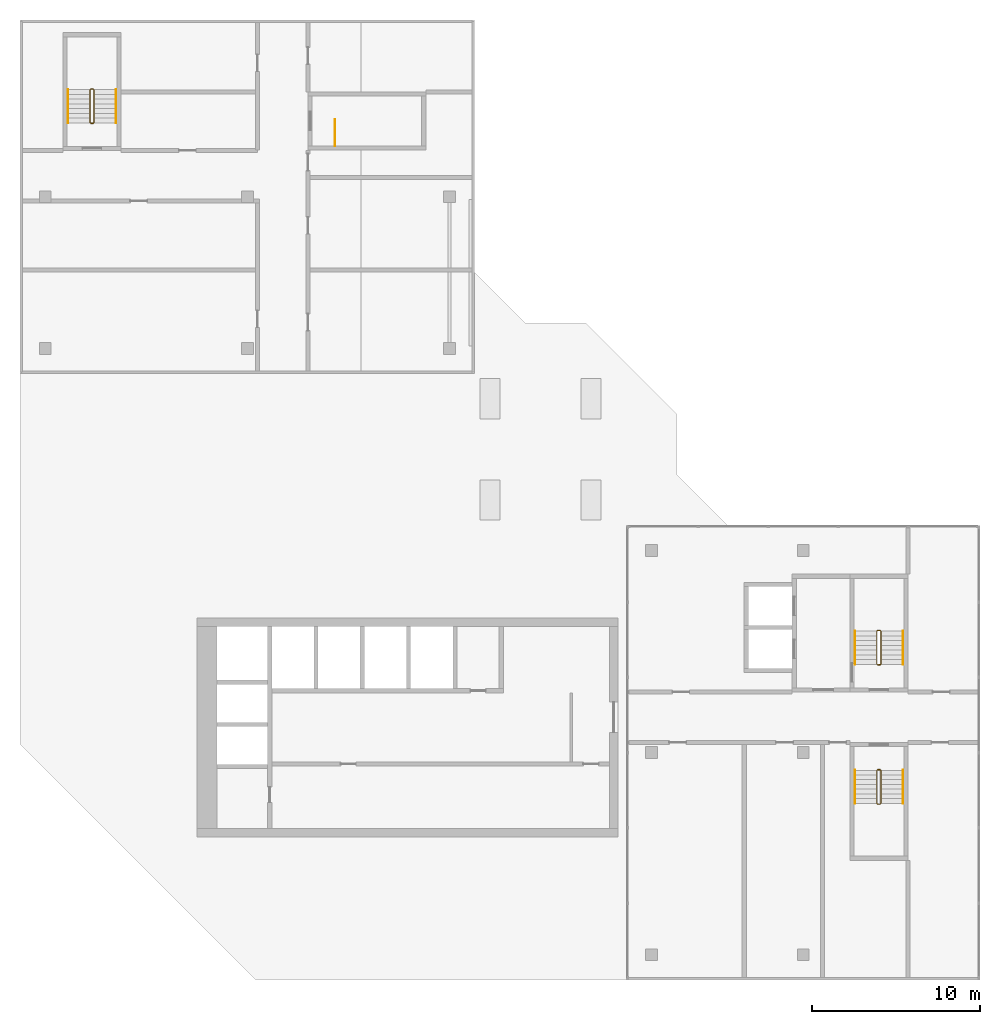
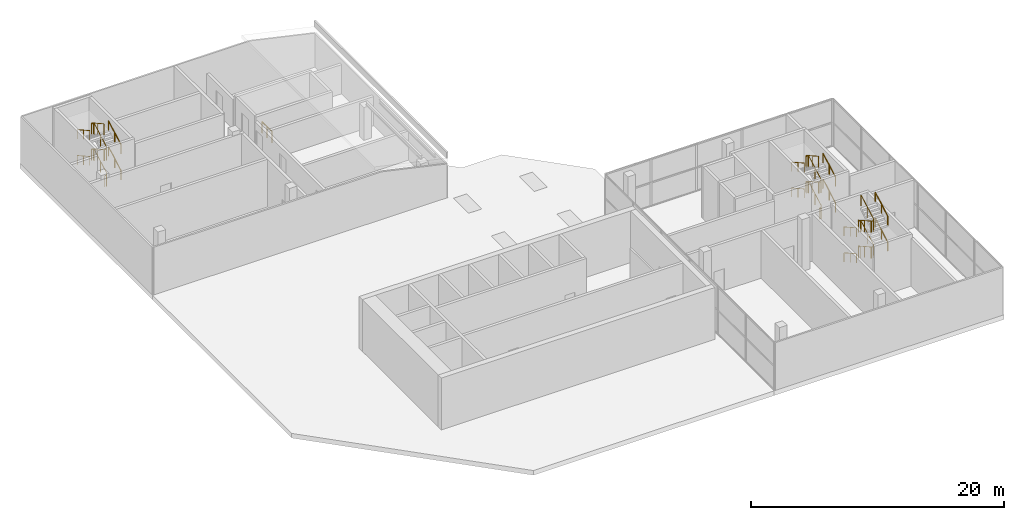
# One storey, part 8 of 8: 16 railings.
"""IFC4 building model written with IfcOpenShell, lengths in metres."""

import ifcopenshell
import ifcopenshell.guid

model = None  # the IFC model being written
_history = None  # IfcOwnerHistory: only IFC2X3 demands one
_inside = {}  # id of a spatial element -> (the spatial element, [elements in it])
_under = {}  # id of a project, library or spatial element -> (it, [spatial elements below it])
_declared = {}  # id of a project -> (the project, [libraries it declares])
_typed = {}  # id of a type object -> (the type object, [elements of that type])
_made_of = {}  # id of a material, layer set ... -> (it, [elements and type objects made of it])


def new_model(schema):
    """Start an empty IFC model of exactly this schema.

    Asked for "IFC4X3", IfcOpenShell would pick the latest addendum, in which some entities
    have other attributes; the version numbers below select the first issue.
    IFC2X3 requires an IfcOwnerHistory on every rooted entity: one is made here for all.
    """
    global model, _history
    if schema == "IFC4X3":
        model = ifcopenshell.file(schema_version=(4, 3, 0, 0))
    else:
        model = ifcopenshell.file(schema=schema)
    _inside.clear()
    _under.clear()
    _declared.clear()
    _typed.clear()
    _made_of.clear()
    _history = None
    if model.schema == "IFC2X3":
        org = make("IfcOrganization", Name="unknown")
        user = make(
            "IfcPersonAndOrganization",
            ThePerson=make("IfcPerson", FamilyName="unknown"),
            TheOrganization=org,
        )
        app = make(
            "IfcApplication",
            ApplicationDeveloper=org,
            Version="unknown",
            ApplicationFullName="unknown",
            ApplicationIdentifier="unknown",
        )
        _history = make(
            "IfcOwnerHistory",
            OwningUser=user,
            OwningApplication=app,
            ChangeAction="ADDED",
            CreationDate=0,
        )
    return model


def make(cls, **values):
    """One entity of the class cls with the attributes given. An attribute that is None is left unset."""
    return model.create_entity(
        cls, **{name: value for name, value in values.items() if value is not None}
    )


def rooted(cls, **values):
    """An entity with a GlobalId (a new one), such as an element, a storey or a relation."""
    return make(cls, GlobalId=ifcopenshell.guid.new(), OwnerHistory=_history, **values)


def si_unit(unit_type, name, prefix=None):
    """IfcSIUnit, for example si_unit("LENGTHUNIT", "METRE", prefix="MILLI")."""
    return make("IfcSIUnit", UnitType=unit_type, Prefix=prefix, Name=name)


def assignment(units):
    """IfcUnitAssignment: the units of a project."""
    return None if units is None else make("IfcUnitAssignment", Units=units)


def point(xyz):
    """IfcCartesianPoint."""
    return None if xyz is None else make("IfcCartesianPoint", Coordinates=xyz)


def direction(xyz):
    """IfcDirection."""
    return None if xyz is None else make("IfcDirection", DirectionRatios=xyz)


def frame(location, z_axis=None, x_axis=None):
    """IfcAxis2Placement3D, a coordinate frame: its origin and axes. An axis left out is left unset."""
    return make(
        "IfcAxis2Placement3D",
        Location=point(location),
        Axis=direction(z_axis),
        RefDirection=direction(x_axis),
    )


def frame_2d(location, x_axis=None):
    """IfcAxis2Placement2D, a coordinate frame in the plane: its origin and x axis."""
    return make(
        "IfcAxis2Placement2D", Location=point(location), RefDirection=direction(x_axis)
    )


def origin():
    """The frame at (0, 0, 0) with its axes left unset."""
    return frame((0.0, 0.0, 0.0))


def origin_2d():
    """The frame at (0, 0) in the plane with its x axis left unset."""
    return frame_2d((0.0, 0.0))


def place(relative_to, where):
    """IfcLocalPlacement: puts the frame where relative to a parent placement (None: the world)."""
    return make(
        "IfcLocalPlacement", PlacementRelTo=relative_to, RelativePlacement=where
    )


def context(
    kind, dimensions, precision=None, world=None, true_north=None, identifier=None
):
    """IfcGeometricRepresentationContext, for example the 3D "Model" context."""
    return make(
        "IfcGeometricRepresentationContext",
        ContextIdentifier=identifier,
        ContextType=kind,
        CoordinateSpaceDimension=dimensions,
        Precision=precision,
        WorldCoordinateSystem=world,
        TrueNorth=true_north,
    )


def subcontext(parent, identifier, kind, view, scale=None):
    """IfcGeometricRepresentationSubContext, for example "Body" below "Model"."""
    return make(
        "IfcGeometricRepresentationSubContext",
        ContextIdentifier=identifier,
        ContextType=kind,
        ParentContext=parent,
        TargetScale=scale,
        TargetView=view,
    )


def project(units=None, contexts=None):
    """IfcProject with its units and contexts."""
    return rooted(
        "IfcProject",
        Name="project",
        RepresentationContexts=contexts,
        UnitsInContext=assignment(units),
    )


def spatial(cls, under=None, at=None, **own):
    """A site, building, storey or space (cls), placed at a placement, below another one or the project."""
    s = rooted(cls, ObjectPlacement=at, **own)
    if under is not None:
        _under.setdefault(under.id(), (under, []))[1].append(s)
    return s


def profile(cls, at=None, kind="AREA", **sizes):
    """A parametric profile (cls). Its sizes go by their IFC names, for example OverallWidth=200.0."""
    return make(cls, ProfileType=kind, Position=at, **sizes)


def rectangle(**sizes):
    """IfcRectangleProfileDef."""
    return profile("IfcRectangleProfileDef", **sizes)


def extrude(swept, where, along, depth):
    """IfcExtrudedAreaSolid: the profile swept, set in the frame where, extruded along a direction by depth."""
    return make(
        "IfcExtrudedAreaSolid",
        SweptArea=swept,
        Position=where,
        ExtrudedDirection=direction(along),
        Depth=depth,
    )


def shape(context_of_items, identifier, shape_type, items):
    """IfcShapeRepresentation: the items that make up one representation, for example the "Body"."""
    return make(
        "IfcShapeRepresentation",
        ContextOfItems=context_of_items,
        RepresentationIdentifier=identifier,
        RepresentationType=shape_type,
        Items=items,
    )


def material(Name=None, Category=None):
    """IfcMaterial."""
    return make("IfcMaterial", Name=Name, Category=Category)


def made_of(thing, what):
    """Note that an element or type object is made of a material, layer set ...; save() writes the relation."""
    if what is not None:
        _made_of.setdefault(what.id(), (what, []))[1].append(thing)
    return thing


def type_object(cls, material=None, **own):
    """A type object (cls), such as IfcWallType, which elements share."""
    return made_of(rooted(cls, **own), material)


def element(
    cls,
    number,
    at=None,
    inside=None,
    cuts=None,
    type_object=None,
    material=None,
    context=None,
    identifier="Body",
    shape_type=None,
    held_by="IfcProductDefinitionShape",
    body=None,
    shapes=None,
    **own,
):
    """One element of the class cls, such as IfcWall. Its Tag is "e" and its number.

    at: its placement. inside: the storey or other place that contains it. cuts: it is an
    opening in that element (IfcRelVoidsElement). A single representation is given by context,
    identifier, shape_type and body (its items); several are given by shapes. held_by: the class
    of the entity that holds the representations. save() writes the other relations.
    """
    e = rooted(cls, Tag="e%d" % number, ObjectPlacement=at, **own)
    if body is not None:
        shapes = [shape(context, identifier, shape_type, body)]
    if shapes is not None:
        e.Representation = make(held_by, Representations=shapes)
    if inside is not None:
        _inside.setdefault(inside.id(), (inside, []))[1].append(e)
    if cuts is not None:
        rooted(
            "IfcRelVoidsElement", RelatingBuildingElement=cuts, RelatedOpeningElement=e
        )
    if type_object is not None:
        _typed.setdefault(type_object.id(), (type_object, []))[1].append(e)
    return made_of(e, material)


def aggregate(whole, parts):
    """IfcRelAggregates: a whole, such as a stair, and the parts it consists of."""
    return rooted("IfcRelAggregates", RelatingObject=whole, RelatedObjects=parts)


def save(model, path):
    """Write the relations noted so far, then the file.

    IfcRelAggregates (storeys below a building ...), IfcRelContainedInSpatialStructure (elements
    in a storey), IfcRelDefinesByType, IfcRelAssociatesMaterial and IfcRelDeclares: one each for
    every whole, place, type object, material and project.
    """
    for whole, parts in _under.values():
        aggregate(whole, parts)
    for where, things in _inside.values():
        rooted(
            "IfcRelContainedInSpatialStructure",
            RelatedElements=things,
            RelatingStructure=where,
        )
    for kind, things in _typed.values():
        rooted("IfcRelDefinesByType", RelatedObjects=things, RelatingType=kind)
    for what, things in _made_of.values():
        rooted("IfcRelAssociatesMaterial", RelatedObjects=things, RelatingMaterial=what)
    for by, libraries in _declared.values():
        rooted("IfcRelDeclares", RelatingContext=by, RelatedDefinitions=libraries)
    model.write(path)


model = new_model("IFC4")

# Units and contexts
model_context = context("Model", 3, precision=1e-05, world=origin(), true_north=direction((0.0, 1.0)))
body_context = subcontext(model_context, "Body", "Model", "MODEL_VIEW")
ifc_project = project(units=[si_unit("LENGTHUNIT", "METRE"), si_unit("AREAUNIT", "SQUARE_METRE"), si_unit("VOLUMEUNIT", "CUBIC_METRE"), si_unit("PLANEANGLEUNIT", "RADIAN"), si_unit("MASSUNIT", "GRAM", prefix="KILO")], contexts=[model_context])

# Site, building, storey
site_placement = place(None, origin())
site = spatial("IfcSite", under=ifc_project, at=site_placement, CompositionType="ELEMENT")
building_placement = place(site_placement, origin())
building = spatial("IfcBuilding", under=site, at=building_placement, Name="Chenar Terraces", CompositionType="ELEMENT")
storey_placement = place(building_placement, frame((0.0, 0.0, 383.89990234375)))
storey = spatial("IfcBuildingStorey", under=building, at=storey_placement, Name="L90", CompositionType="ELEMENT", Elevation=383.89990234375)

# Railings
ifc_material_1 = material(Name="Powder-coated steel", Category="steel")
railing_type_1 = type_object("IfcRailingType", Name="Stair guard 1100", PredefinedType="GUARDRAIL", material=ifc_material_1)
railing_1_placement = place(storey_placement, frame((49.375, 17.25, 5.0)))
element("IfcRailing", 1, at=railing_1_placement, inside=storey, type_object=railing_type_1, Name="L90 ST3 stair guard 1", PredefinedType="GUARDRAIL", context=body_context, shape_type="SweptSolid", body=[
    extrude(rectangle(XDim=0.048095703125, YDim=0.048095703125, at=origin_2d()), frame((0.0, 0.0, 1.076171875), z_axis=(0.0, 0.873232148454, -0.487304437602), x_axis=(-1.0, 0.0, 0.0)), (0.0, 0.0, 1.0), 2.244384765625),
    extrude(rectangle(XDim=0.048095703125, YDim=0.048095703125, at=origin_2d()), frame((0.0, 1.9599609375, -0.017578125), z_axis=(0.29177245553, 0.29177245553, -0.91089937336), x_axis=(-0.707106781187, 0.707106781187, 0.0)), (0.0, 0.0, 1.0), 0.171630859375),
    extrude(rectangle(XDim=0.048095703125, YDim=0.048095703125, at=origin_2d()), frame((0.050048828125, 2.010009765625, -0.173828125), z_axis=(1.0, 0.0, 0.0), x_axis=(0.0, 1.0, 0.0)), (0.0, 0.0, 1.0), 0.14990234375),
    extrude(rectangle(XDim=0.048095703125, YDim=0.048095703125, at=origin_2d()), frame((0.199951171875, 2.010009765625, -0.173828125), z_axis=(0.707106781187, -0.707106781187, 0.0), x_axis=(0.707106781187, 0.707106781187, 0.0)), (0.0, 0.0, 1.0), 0.07080078125),
    extrude(rectangle(XDim=0.048095703125, YDim=0.048095703125, at=origin_2d()), frame((0.25, 1.9599609375, -0.173828125), z_axis=(0.0, -0.873232148454, -0.487304437602), x_axis=(1.0, 0.0, 0.0)), (0.0, 0.0, 1.0), 2.244384765625),
    extrude(rectangle(XDim=0.048095703125, YDim=0.048095703125, at=origin_2d()), frame((0.25, 0.0, -1.267578125), z_axis=(-0.77305925043, -0.19350078918, -0.604100024756), x_axis=(0.242814311512, -0.970072785993, 0.0)), (0.0, 0.0, 1.0), 0.258544921875),
    extrude(rectangle(XDim=0.048095703125, YDim=0.048095703125, at=origin_2d()), frame((0.050048828125, -0.050048828125, -1.423828125), z_axis=(1.0, 0.0, 0.0), x_axis=(0.0, 1.0, 0.0)), (0.0, 0.0, 1.0), 0.14990234375),
    extrude(rectangle(XDim=0.048095703125, YDim=0.048095703125, at=origin_2d()), frame((0.199951171875, -0.050048828125, -1.423828125), z_axis=(-0.970072785993, 0.242814311512, 0.0), x_axis=(-0.242814311512, -0.970072785993, 0.0)), (0.0, 0.0, 1.0), 0.2060546875),
    extrude(rectangle(XDim=0.048095703125, YDim=0.048095703125, at=origin_2d()), frame((0.0, 0.0, -1.423828125), z_axis=(0.0, 0.873232148454, -0.487304437602), x_axis=(-1.0, 0.0, 0.0)), (0.0, 0.0, 1.0), 2.244384765625),
    extrude(rectangle(XDim=0.048095703125, YDim=0.048095703125, at=origin_2d()), frame((0.0, 1.9599609375, -2.517578125), z_axis=(0.29177245553, 0.29177245553, -0.91089937336), x_axis=(-0.707106781187, 0.707106781187, 0.0)), (0.0, 0.0, 1.0), 0.171630859375),
    extrude(rectangle(XDim=0.048095703125, YDim=0.048095703125, at=origin_2d()), frame((0.050048828125, 2.010009765625, -2.673828125), z_axis=(1.0, 0.0, 0.0), x_axis=(0.0, 1.0, 0.0)), (0.0, 0.0, 1.0), 0.14990234375),
    extrude(rectangle(XDim=0.048095703125, YDim=0.048095703125, at=origin_2d()), frame((0.199951171875, 2.010009765625, -2.673828125), z_axis=(0.707106781187, -0.707106781187, 0.0), x_axis=(0.707106781187, 0.707106781187, 0.0)), (0.0, 0.0, 1.0), 0.07080078125),
    extrude(rectangle(XDim=0.048095703125, YDim=0.048095703125, at=origin_2d()), frame((0.25, 1.9599609375, -2.673828125), z_axis=(0.0, -0.873232148454, -0.487304437602), x_axis=(1.0, 0.0, 0.0)), (0.0, 0.0, 1.0), 2.244384765625),
    extrude(rectangle(XDim=0.048095703125, YDim=0.048095703125, at=origin_2d()), frame((0.25, 0.0, -3.767578125), z_axis=(-0.29177245553, -0.29177245553, -0.91089937336), x_axis=(0.707106781187, -0.707106781187, 0.0)), (0.0, 0.0, 1.0), 0.171630859375),
    extrude(rectangle(XDim=0.048095703125, YDim=0.048095703125, at=origin_2d()), frame((0.199951171875, -0.050048828125, -3.923828125), z_axis=(-1.0, 0.0, 0.0), x_axis=(0.0, -1.0, 0.0)), (0.0, 0.0, 1.0), 0.14990234375),
    extrude(rectangle(XDim=0.0419921875, YDim=0.0419921875, at=origin_2d()), origin(), (0.0, 0.0, 1.0), 1.052001953125),
    extrude(rectangle(XDim=0.0419921875, YDim=0.0419921875, at=origin_2d()), frame((0.0, 0.97998046875, -0.546875)), (0.0, 0.0, 1.0), 1.052001953125),
    extrude(rectangle(XDim=0.0419921875, YDim=0.0419921875, at=origin_2d()), frame((0.0, 1.9599609375, -1.09375)), (0.0, 0.0, 1.0), 1.052001953125),
    extrude(rectangle(XDim=0.0419921875, YDim=0.0419921875, at=origin_2d()), frame((0.050048828125, 2.010009765625, -1.25)), (0.0, 0.0, 1.0), 1.052001953125),
    extrude(rectangle(XDim=0.0419921875, YDim=0.0419921875, at=origin_2d()), frame((0.199951171875, 2.010009765625, -1.25)), (0.0, 0.0, 1.0), 1.052001953125),
    extrude(rectangle(XDim=0.0419921875, YDim=0.0419921875, at=origin_2d()), frame((0.25, 1.9599609375, -1.25)), (0.0, 0.0, 1.0), 1.052001953125),
    extrude(rectangle(XDim=0.0419921875, YDim=0.0419921875, at=origin_2d()), frame((0.25, 0.97998046875, -1.796875)), (0.0, 0.0, 1.0), 1.052001953125),
    extrude(rectangle(XDim=0.0419921875, YDim=0.0419921875, at=origin_2d()), frame((0.25, 0.0, -2.34375)), (0.0, 0.0, 1.0), 1.052001953125),
    extrude(rectangle(XDim=0.0419921875, YDim=0.0419921875, at=origin_2d()), frame((0.050048828125, -0.050048828125, -2.5)), (0.0, 0.0, 1.0), 1.052001953125),
    extrude(rectangle(XDim=0.0419921875, YDim=0.0419921875, at=origin_2d()), frame((0.199951171875, -0.050048828125, -2.5)), (0.0, 0.0, 1.0), 1.052001953125),
    extrude(rectangle(XDim=0.0419921875, YDim=0.0419921875, at=origin_2d()), frame((0.0, 0.0, -2.5)), (0.0, 0.0, 1.0), 1.052001953125),
    extrude(rectangle(XDim=0.0419921875, YDim=0.0419921875, at=origin_2d()), frame((0.0, 0.97998046875, -3.046875)), (0.0, 0.0, 1.0), 1.052001953125),
    extrude(rectangle(XDim=0.0419921875, YDim=0.0419921875, at=origin_2d()), frame((0.0, 1.9599609375, -3.59375)), (0.0, 0.0, 1.0), 1.052001953125),
    extrude(rectangle(XDim=0.0419921875, YDim=0.0419921875, at=origin_2d()), frame((0.050048828125, 2.010009765625, -3.75)), (0.0, 0.0, 1.0), 1.052001953125),
    extrude(rectangle(XDim=0.0419921875, YDim=0.0419921875, at=origin_2d()), frame((0.199951171875, 2.010009765625, -3.75)), (0.0, 0.0, 1.0), 1.052001953125),
    extrude(rectangle(XDim=0.0419921875, YDim=0.0419921875, at=origin_2d()), frame((0.25, 1.9599609375, -3.75)), (0.0, 0.0, 1.0), 1.052001953125),
    extrude(rectangle(XDim=0.0419921875, YDim=0.0419921875, at=origin_2d()), frame((0.25, 0.97998046875, -4.296875)), (0.0, 0.0, 1.0), 1.052001953125),
    extrude(rectangle(XDim=0.0419921875, YDim=0.0419921875, at=origin_2d()), frame((0.25, 0.0, -4.84375)), (0.0, 0.0, 1.0), 1.052001953125),
    extrude(rectangle(XDim=0.0419921875, YDim=0.0419921875, at=origin_2d()), frame((0.199951171875, -0.050048828125, -5.0)), (0.0, 0.0, 1.0), 1.052001953125),
    extrude(rectangle(XDim=0.0419921875, YDim=0.0419921875, at=origin_2d()), frame((0.050048828125, -0.050048828125, -5.0)), (0.0, 0.0, 1.0), 1.052001953125),
])
railing_2_placement = place(storey_placement, frame((17.199951171875, 49.574951171875, 0.0)))
element("IfcRailing", 2, at=railing_2_placement, inside=storey, type_object=railing_type_1, Name="L90 ST4 top well guard 1", PredefinedType="GUARDRAIL", context=body_context, shape_type="SweptSolid", body=[
    extrude(rectangle(XDim=0.048095703125, YDim=0.048095703125, at=origin_2d()), frame((0.0, 0.0, 1.076171875), z_axis=(0.0, -1.0, 0.0), x_axis=(1.0, 0.0, 0.0)), (0.0, 0.0, 1.0), 1.550048828125),
    extrude(rectangle(XDim=0.0419921875, YDim=0.0419921875, at=origin_2d()), origin(), (0.0, 0.0, 1.0), 1.052001953125),
    extrude(rectangle(XDim=0.0419921875, YDim=0.0419921875, at=origin_2d()), frame((0.0, -0.77490234375, 0.0)), (0.0, 0.0, 1.0), 1.052001953125),
    extrude(rectangle(XDim=0.0419921875, YDim=0.0419921875, at=origin_2d()), frame((0.0, -1.550048828125, 0.0)), (0.0, 0.0, 1.0), 1.052001953125),
])
railing_3_placement = place(storey_placement, frame((49.625, 10.949951171875, 5.0)))
element("IfcRailing", 3, at=railing_3_placement, inside=storey, type_object=railing_type_1, Name="L90 ST5 stair guard 1", PredefinedType="GUARDRAIL", context=body_context, shape_type="SweptSolid", body=[
    extrude(rectangle(XDim=0.048095703125, YDim=0.048095703125, at=origin_2d()), frame((0.0, 0.0, 1.076171875), z_axis=(0.0, -0.873232148454, -0.487304437602), x_axis=(1.0, 0.0, 0.0)), (0.0, 0.0, 1.0), 2.244384765625),
    extrude(rectangle(XDim=0.048095703125, YDim=0.048095703125, at=origin_2d()), frame((0.0, -1.9599609375, -0.017578125), z_axis=(-0.29177245553, -0.29177245553, -0.91089937336), x_axis=(0.707106781187, -0.707106781187, 0.0)), (0.0, 0.0, 1.0), 0.171630859375),
    extrude(rectangle(XDim=0.048095703125, YDim=0.048095703125, at=origin_2d()), frame((-0.050048828125, -2.010009765625, -0.173828125), z_axis=(-1.0, 0.0, 0.0), x_axis=(0.0, -1.0, 0.0)), (0.0, 0.0, 1.0), 0.14990234375),
    extrude(rectangle(XDim=0.048095703125, YDim=0.048095703125, at=origin_2d()), frame((-0.199951171875, -2.010009765625, -0.173828125), z_axis=(-0.707106781187, 0.707106781187, 0.0), x_axis=(-0.707106781187, -0.707106781187, 0.0)), (0.0, 0.0, 1.0), 0.07080078125),
    extrude(rectangle(XDim=0.048095703125, YDim=0.048095703125, at=origin_2d()), frame((-0.25, -1.9599609375, -0.173828125), z_axis=(0.0, 0.873232148454, -0.487304437602), x_axis=(-1.0, 0.0, 0.0)), (0.0, 0.0, 1.0), 2.244384765625),
    extrude(rectangle(XDim=0.048095703125, YDim=0.048095703125, at=origin_2d()), frame((-0.25, 0.0, -1.267578125), z_axis=(0.77305925043, 0.19350078918, -0.604100024756), x_axis=(-0.242814311512, 0.970072785993, 0.0)), (0.0, 0.0, 1.0), 0.258544921875),
    extrude(rectangle(XDim=0.048095703125, YDim=0.048095703125, at=origin_2d()), frame((-0.050048828125, 0.050048828125, -1.423828125), z_axis=(-1.0, 0.0, 0.0), x_axis=(0.0, -1.0, 0.0)), (0.0, 0.0, 1.0), 0.14990234375),
    extrude(rectangle(XDim=0.048095703125, YDim=0.048095703125, at=origin_2d()), frame((-0.199951171875, 0.050048828125, -1.423828125), z_axis=(0.970072785993, -0.242814311512, 0.0), x_axis=(0.242814311512, 0.970072785993, 0.0)), (0.0, 0.0, 1.0), 0.2060546875),
    extrude(rectangle(XDim=0.048095703125, YDim=0.048095703125, at=origin_2d()), frame((0.0, 0.0, -1.423828125), z_axis=(0.0, -0.873232148454, -0.487304437602), x_axis=(1.0, 0.0, 0.0)), (0.0, 0.0, 1.0), 2.244384765625),
    extrude(rectangle(XDim=0.048095703125, YDim=0.048095703125, at=origin_2d()), frame((0.0, -1.9599609375, -2.517578125), z_axis=(-0.29177245553, -0.29177245553, -0.91089937336), x_axis=(0.707106781187, -0.707106781187, 0.0)), (0.0, 0.0, 1.0), 0.171630859375),
    extrude(rectangle(XDim=0.048095703125, YDim=0.048095703125, at=origin_2d()), frame((-0.050048828125, -2.010009765625, -2.673828125), z_axis=(-1.0, 0.0, 0.0), x_axis=(0.0, -1.0, 0.0)), (0.0, 0.0, 1.0), 0.14990234375),
    extrude(rectangle(XDim=0.048095703125, YDim=0.048095703125, at=origin_2d()), frame((-0.199951171875, -2.010009765625, -2.673828125), z_axis=(-0.707106781187, 0.707106781187, 0.0), x_axis=(-0.707106781187, -0.707106781187, 0.0)), (0.0, 0.0, 1.0), 0.07080078125),
    extrude(rectangle(XDim=0.048095703125, YDim=0.048095703125, at=origin_2d()), frame((-0.25, -1.9599609375, -2.673828125), z_axis=(0.0, 0.873232148454, -0.487304437602), x_axis=(-1.0, 0.0, 0.0)), (0.0, 0.0, 1.0), 2.244384765625),
    extrude(rectangle(XDim=0.048095703125, YDim=0.048095703125, at=origin_2d()), frame((-0.25, 0.0, -3.767578125), z_axis=(0.29177245553, 0.29177245553, -0.91089937336), x_axis=(-0.707106781187, 0.707106781187, 0.0)), (0.0, 0.0, 1.0), 0.171630859375),
    extrude(rectangle(XDim=0.048095703125, YDim=0.048095703125, at=origin_2d()), frame((-0.199951171875, 0.050048828125, -3.923828125), z_axis=(1.0, 0.0, 0.0), x_axis=(0.0, 1.0, 0.0)), (0.0, 0.0, 1.0), 0.14990234375),
    extrude(rectangle(XDim=0.0419921875, YDim=0.0419921875, at=origin_2d()), origin(), (0.0, 0.0, 1.0), 1.052001953125),
    extrude(rectangle(XDim=0.0419921875, YDim=0.0419921875, at=origin_2d()), frame((0.0, -0.97998046875, -0.546875)), (0.0, 0.0, 1.0), 1.052001953125),
    extrude(rectangle(XDim=0.0419921875, YDim=0.0419921875, at=origin_2d()), frame((0.0, -1.9599609375, -1.09375)), (0.0, 0.0, 1.0), 1.052001953125),
    extrude(rectangle(XDim=0.0419921875, YDim=0.0419921875, at=origin_2d()), frame((-0.050048828125, -2.010009765625, -1.25)), (0.0, 0.0, 1.0), 1.052001953125),
    extrude(rectangle(XDim=0.0419921875, YDim=0.0419921875, at=origin_2d()), frame((-0.199951171875, -2.010009765625, -1.25)), (0.0, 0.0, 1.0), 1.052001953125),
    extrude(rectangle(XDim=0.0419921875, YDim=0.0419921875, at=origin_2d()), frame((-0.25, -1.9599609375, -1.25)), (0.0, 0.0, 1.0), 1.052001953125),
    extrude(rectangle(XDim=0.0419921875, YDim=0.0419921875, at=origin_2d()), frame((-0.25, -0.97998046875, -1.796875)), (0.0, 0.0, 1.0), 1.052001953125),
    extrude(rectangle(XDim=0.0419921875, YDim=0.0419921875, at=origin_2d()), frame((-0.25, 0.0, -2.34375)), (0.0, 0.0, 1.0), 1.052001953125),
    extrude(rectangle(XDim=0.0419921875, YDim=0.0419921875, at=origin_2d()), frame((-0.050048828125, 0.050048828125, -2.5)), (0.0, 0.0, 1.0), 1.052001953125),
    extrude(rectangle(XDim=0.0419921875, YDim=0.0419921875, at=origin_2d()), frame((-0.199951171875, 0.050048828125, -2.5)), (0.0, 0.0, 1.0), 1.052001953125),
    extrude(rectangle(XDim=0.0419921875, YDim=0.0419921875, at=origin_2d()), frame((0.0, 0.0, -2.5)), (0.0, 0.0, 1.0), 1.052001953125),
    extrude(rectangle(XDim=0.0419921875, YDim=0.0419921875, at=origin_2d()), frame((0.0, -0.97998046875, -3.046875)), (0.0, 0.0, 1.0), 1.052001953125),
    extrude(rectangle(XDim=0.0419921875, YDim=0.0419921875, at=origin_2d()), frame((0.0, -1.9599609375, -3.59375)), (0.0, 0.0, 1.0), 1.052001953125),
    extrude(rectangle(XDim=0.0419921875, YDim=0.0419921875, at=origin_2d()), frame((-0.050048828125, -2.010009765625, -3.75)), (0.0, 0.0, 1.0), 1.052001953125),
    extrude(rectangle(XDim=0.0419921875, YDim=0.0419921875, at=origin_2d()), frame((-0.199951171875, -2.010009765625, -3.75)), (0.0, 0.0, 1.0), 1.052001953125),
    extrude(rectangle(XDim=0.0419921875, YDim=0.0419921875, at=origin_2d()), frame((-0.25, -1.9599609375, -3.75)), (0.0, 0.0, 1.0), 1.052001953125),
    extrude(rectangle(XDim=0.0419921875, YDim=0.0419921875, at=origin_2d()), frame((-0.25, -0.97998046875, -4.296875)), (0.0, 0.0, 1.0), 1.052001953125),
    extrude(rectangle(XDim=0.0419921875, YDim=0.0419921875, at=origin_2d()), frame((-0.25, 0.0, -4.84375)), (0.0, 0.0, 1.0), 1.052001953125),
    extrude(rectangle(XDim=0.0419921875, YDim=0.0419921875, at=origin_2d()), frame((-0.199951171875, 0.050048828125, -5.0)), (0.0, 0.0, 1.0), 1.052001953125),
    extrude(rectangle(XDim=0.0419921875, YDim=0.0419921875, at=origin_2d()), frame((-0.050048828125, 0.050048828125, -5.0)), (0.0, 0.0, 1.0), 1.052001953125),
])
railing_4_placement = place(storey_placement, frame((2.64990234375, 49.39990234375, 5.0)))
element("IfcRailing", 4, at=railing_4_placement, inside=storey, type_object=railing_type_1, Name="L90 ST6 stair guard 1", PredefinedType="GUARDRAIL", context=body_context, shape_type="SweptSolid", body=[
    extrude(rectangle(XDim=0.048095703125, YDim=0.048095703125, at=origin_2d()), frame((0.0, 0.0, 1.076171875), z_axis=(0.0, 0.873257974695, -0.487258155017), x_axis=(-1.0, 0.0, 0.0)), (0.0, 0.0, 1.0), 2.24462890625),
    extrude(rectangle(XDim=0.048095703125, YDim=0.048095703125, at=origin_2d()), frame((0.0, 1.960205078125, -0.017578125), z_axis=(0.291893400672, 0.290469530425, -0.911276958196), x_axis=(-0.705375805398, 0.708833529934, 0.0)), (0.0, 0.0, 1.0), 0.17138671875),
    extrude(rectangle(XDim=0.048095703125, YDim=0.048095703125, at=origin_2d()), frame((0.050048828125, 2.010009765625, -0.173828125), z_axis=(1.0, 0.0, 0.0), x_axis=(0.0, 1.0, 0.0)), (0.0, 0.0, 1.0), 0.150146484375),
    extrude(rectangle(XDim=0.048095703125, YDim=0.048095703125, at=origin_2d()), frame((0.2001953125, 2.010009765625, -0.173828125), z_axis=(0.707106781187, -0.707106781187, 0.0), x_axis=(0.707106781187, 0.707106781187, 0.0)), (0.0, 0.0, 1.0), 0.0703125),
    extrude(rectangle(XDim=0.048095703125, YDim=0.048095703125, at=origin_2d()), frame((0.25, 1.960205078125, -0.173828125), z_axis=(0.0, -0.873257974695, -0.487258155017), x_axis=(1.0, 0.0, 0.0)), (0.0, 0.0, 1.0), 2.24462890625),
    extrude(rectangle(XDim=0.048095703125, YDim=0.048095703125, at=origin_2d()), frame((0.25, 0.0, -1.267578125), z_axis=(-0.773200141208, -0.192591976565, -0.604210122556), x_axis=(0.241699205484, -0.970351222016, 0.0)), (0.0, 0.0, 1.0), 0.258544921875),
    extrude(rectangle(XDim=0.048095703125, YDim=0.048095703125, at=origin_2d()), frame((0.050048828125, -0.0498046875, -1.423828125), z_axis=(1.0, 0.0, 0.0), x_axis=(0.0, 1.0, 0.0)), (0.0, 0.0, 1.0), 0.150146484375),
    extrude(rectangle(XDim=0.048095703125, YDim=0.048095703125, at=origin_2d()), frame((0.2001953125, -0.0498046875, -1.423828125), z_axis=(-0.970420317083, 0.24142163986, 0.0), x_axis=(-0.24142163986, -0.970420317083, 0.0)), (0.0, 0.0, 1.0), 0.206298828125),
    extrude(rectangle(XDim=0.048095703125, YDim=0.048095703125, at=origin_2d()), frame((0.0, 0.0, -1.423828125), z_axis=(0.0, 0.873257974695, -0.487258155017), x_axis=(-1.0, 0.0, 0.0)), (0.0, 0.0, 1.0), 2.24462890625),
    extrude(rectangle(XDim=0.048095703125, YDim=0.048095703125, at=origin_2d()), frame((0.0, 1.960205078125, -2.517578125), z_axis=(0.291893400672, 0.290469530425, -0.911276958196), x_axis=(-0.705375805398, 0.708833529934, 0.0)), (0.0, 0.0, 1.0), 0.17138671875),
    extrude(rectangle(XDim=0.048095703125, YDim=0.048095703125, at=origin_2d()), frame((0.050048828125, 2.010009765625, -2.673828125), z_axis=(1.0, 0.0, 0.0), x_axis=(0.0, 1.0, 0.0)), (0.0, 0.0, 1.0), 0.150146484375),
    extrude(rectangle(XDim=0.048095703125, YDim=0.048095703125, at=origin_2d()), frame((0.2001953125, 2.010009765625, -2.673828125), z_axis=(0.707106781187, -0.707106781187, 0.0), x_axis=(0.707106781187, 0.707106781187, 0.0)), (0.0, 0.0, 1.0), 0.0703125),
    extrude(rectangle(XDim=0.048095703125, YDim=0.048095703125, at=origin_2d()), frame((0.25, 1.960205078125, -2.673828125), z_axis=(0.0, -0.873257974695, -0.487258155017), x_axis=(1.0, 0.0, 0.0)), (0.0, 0.0, 1.0), 2.24462890625),
    extrude(rectangle(XDim=0.048095703125, YDim=0.048095703125, at=origin_2d()), frame((0.25, 0.0, -3.767578125), z_axis=(-0.290590035384, -0.290590035384, -0.911655012969), x_axis=(0.707106781187, -0.707106781187, 0.0)), (0.0, 0.0, 1.0), 0.17138671875),
    extrude(rectangle(XDim=0.048095703125, YDim=0.048095703125, at=origin_2d()), frame((0.2001953125, -0.0498046875, -3.923828125), z_axis=(-1.0, 0.0, 0.0), x_axis=(0.0, -1.0, 0.0)), (0.0, 0.0, 1.0), 0.150146484375),
    extrude(rectangle(XDim=0.0419921875, YDim=0.0419921875, at=origin_2d()), origin(), (0.0, 0.0, 1.0), 1.052001953125),
    extrude(rectangle(XDim=0.0419921875, YDim=0.0419921875, at=origin_2d()), frame((0.0, 0.97998046875, -0.546875)), (0.0, 0.0, 1.0), 1.052001953125),
    extrude(rectangle(XDim=0.0419921875, YDim=0.0419921875, at=origin_2d()), frame((0.0, 1.960205078125, -1.09375)), (0.0, 0.0, 1.0), 1.052001953125),
    extrude(rectangle(XDim=0.0419921875, YDim=0.0419921875, at=origin_2d()), frame((0.050048828125, 2.010009765625, -1.25)), (0.0, 0.0, 1.0), 1.052001953125),
    extrude(rectangle(XDim=0.0419921875, YDim=0.0419921875, at=origin_2d()), frame((0.2001953125, 2.010009765625, -1.25)), (0.0, 0.0, 1.0), 1.052001953125),
    extrude(rectangle(XDim=0.0419921875, YDim=0.0419921875, at=origin_2d()), frame((0.25, 1.960205078125, -1.25)), (0.0, 0.0, 1.0), 1.052001953125),
    extrude(rectangle(XDim=0.0419921875, YDim=0.0419921875, at=origin_2d()), frame((0.25, 0.97998046875, -1.796875)), (0.0, 0.0, 1.0), 1.052001953125),
    extrude(rectangle(XDim=0.0419921875, YDim=0.0419921875, at=origin_2d()), frame((0.25, 0.0, -2.34375)), (0.0, 0.0, 1.0), 1.052001953125),
    extrude(rectangle(XDim=0.0419921875, YDim=0.0419921875, at=origin_2d()), frame((0.050048828125, -0.0498046875, -2.5)), (0.0, 0.0, 1.0), 1.052001953125),
    extrude(rectangle(XDim=0.0419921875, YDim=0.0419921875, at=origin_2d()), frame((0.2001953125, -0.0498046875, -2.5)), (0.0, 0.0, 1.0), 1.052001953125),
    extrude(rectangle(XDim=0.0419921875, YDim=0.0419921875, at=origin_2d()), frame((0.0, 0.0, -2.5)), (0.0, 0.0, 1.0), 1.052001953125),
    extrude(rectangle(XDim=0.0419921875, YDim=0.0419921875, at=origin_2d()), frame((0.0, 0.97998046875, -3.046875)), (0.0, 0.0, 1.0), 1.052001953125),
    extrude(rectangle(XDim=0.0419921875, YDim=0.0419921875, at=origin_2d()), frame((0.0, 1.960205078125, -3.59375)), (0.0, 0.0, 1.0), 1.052001953125),
    extrude(rectangle(XDim=0.0419921875, YDim=0.0419921875, at=origin_2d()), frame((0.050048828125, 2.010009765625, -3.75)), (0.0, 0.0, 1.0), 1.052001953125),
    extrude(rectangle(XDim=0.0419921875, YDim=0.0419921875, at=origin_2d()), frame((0.2001953125, 2.010009765625, -3.75)), (0.0, 0.0, 1.0), 1.052001953125),
    extrude(rectangle(XDim=0.0419921875, YDim=0.0419921875, at=origin_2d()), frame((0.25, 1.960205078125, -3.75)), (0.0, 0.0, 1.0), 1.052001953125),
    extrude(rectangle(XDim=0.0419921875, YDim=0.0419921875, at=origin_2d()), frame((0.25, 0.97998046875, -4.296875)), (0.0, 0.0, 1.0), 1.052001953125),
    extrude(rectangle(XDim=0.0419921875, YDim=0.0419921875, at=origin_2d()), frame((0.25, 0.0, -4.84375)), (0.0, 0.0, 1.0), 1.052001953125),
    extrude(rectangle(XDim=0.0419921875, YDim=0.0419921875, at=origin_2d()), frame((0.2001953125, -0.0498046875, -5.0)), (0.0, 0.0, 1.0), 1.052001953125),
    extrude(rectangle(XDim=0.0419921875, YDim=0.0419921875, at=origin_2d()), frame((0.050048828125, -0.0498046875, -5.0)), (0.0, 0.0, 1.0), 1.052001953125),
])
ifc_material_2 = material(Name="Powder-coated steel", Category="steel")
railing_type_2 = type_object("IfcRailingType", Name="Stair handrail 900", PredefinedType="HANDRAIL", material=ifc_material_2)
railing_5_placement = place(storey_placement, frame((50.925048828125, 17.25, 0.15625)))
element("IfcRailing", 5, at=railing_5_placement, inside=storey, type_object=railing_type_2, Name="L90 ST3 stair handrail 1", PredefinedType="HANDRAIL", context=body_context, shape_type="SweptSolid", body=[
    extrude(rectangle(XDim=0.048095703125, YDim=0.048095703125, at=origin_2d()), frame((0.0, 0.0, 0.8759765625), z_axis=(0.0, 0.873232148454, 0.487304437602), x_axis=(-1.0, 0.0, 0.0)), (0.0, 0.0, 1.0), 2.244384765625),
    extrude(rectangle(XDim=0.0419921875, YDim=0.0419921875, at=origin_2d()), origin(), (0.0, 0.0, 1.0), 0.851806640625),
    extrude(rectangle(XDim=0.0419921875, YDim=0.0419921875, at=origin_2d()), frame((0.0, 0.97998046875, 0.546875)), (0.0, 0.0, 1.0), 0.851806640625),
    extrude(rectangle(XDim=0.0419921875, YDim=0.0419921875, at=origin_2d()), frame((0.0, 1.9599609375, 1.09375)), (0.0, 0.0, 1.0), 0.851806640625),
])
railing_6_placement = place(storey_placement, frame((48.074951171875, 19.2099609375, 1.40625)))
element("IfcRailing", 6, at=railing_6_placement, inside=storey, type_object=railing_type_2, Name="L90 ST3 stair handrail 2", PredefinedType="HANDRAIL", context=body_context, shape_type="SweptSolid", body=[
    extrude(rectangle(XDim=0.048095703125, YDim=0.048095703125, at=origin_2d()), frame((0.0, 0.0, 0.8759765625), z_axis=(0.0, -0.873232148454, 0.487304437602), x_axis=(1.0, 0.0, 0.0)), (0.0, 0.0, 1.0), 2.244384765625),
    extrude(rectangle(XDim=0.0419921875, YDim=0.0419921875, at=origin_2d()), origin(), (0.0, 0.0, 1.0), 0.851806640625),
    extrude(rectangle(XDim=0.0419921875, YDim=0.0419921875, at=origin_2d()), frame((0.0, -0.97998046875, 0.546875)), (0.0, 0.0, 1.0), 0.851806640625),
    extrude(rectangle(XDim=0.0419921875, YDim=0.0419921875, at=origin_2d()), frame((0.0, -1.9599609375, 1.09375)), (0.0, 0.0, 1.0), 0.851806640625),
])
railing_7_placement = place(storey_placement, frame((50.925048828125, 17.25, 2.65625)))
element("IfcRailing", 7, at=railing_7_placement, inside=storey, type_object=railing_type_2, Name="L90 ST3 stair handrail 3", PredefinedType="HANDRAIL", context=body_context, shape_type="SweptSolid", body=[
    extrude(rectangle(XDim=0.048095703125, YDim=0.048095703125, at=origin_2d()), frame((0.0, 0.0, 0.8759765625), z_axis=(0.0, 0.873232148454, 0.487304437602), x_axis=(-1.0, 0.0, 0.0)), (0.0, 0.0, 1.0), 2.244384765625),
    extrude(rectangle(XDim=0.0419921875, YDim=0.0419921875, at=origin_2d()), origin(), (0.0, 0.0, 1.0), 0.851806640625),
    extrude(rectangle(XDim=0.0419921875, YDim=0.0419921875, at=origin_2d()), frame((0.0, 0.97998046875, 0.546875)), (0.0, 0.0, 1.0), 0.851806640625),
    extrude(rectangle(XDim=0.0419921875, YDim=0.0419921875, at=origin_2d()), frame((0.0, 1.9599609375, 1.09375)), (0.0, 0.0, 1.0), 0.851806640625),
])
for number, where, name in (
    (8, (48.074951171875, 19.2099609375, 3.90625), "L90 ST3 stair handrail 4"),
    (9, (48.074951171875, 10.949951171875, 0.15625), "L90 ST5 stair handrail 1"),
):
    element("IfcRailing", number, at=place(storey_placement, frame(where)), inside=storey, type_object=railing_type_2, Name=name, PredefinedType="HANDRAIL", context=body_context, shape_type="SweptSolid", body=[
        extrude(rectangle(XDim=0.048095703125, YDim=0.048095703125, at=origin_2d()), frame((0.0, 0.0, 0.8759765625), z_axis=(0.0, -0.873232148454, 0.487304437602), x_axis=(1.0, 0.0, 0.0)), (0.0, 0.0, 1.0), 2.244384765625),
        extrude(rectangle(XDim=0.0419921875, YDim=0.0419921875, at=origin_2d()), origin(), (0.0, 0.0, 1.0), 0.851806640625),
        extrude(rectangle(XDim=0.0419921875, YDim=0.0419921875, at=origin_2d()), frame((0.0, -0.97998046875, 0.546875)), (0.0, 0.0, 1.0), 0.851806640625),
        extrude(rectangle(XDim=0.0419921875, YDim=0.0419921875, at=origin_2d()), frame((0.0, -1.9599609375, 1.09375)), (0.0, 0.0, 1.0), 0.851806640625),
    ])
railing_8_placement = place(storey_placement, frame((50.925048828125, 8.989990234375, 1.40625)))
element("IfcRailing", 10, at=railing_8_placement, inside=storey, type_object=railing_type_2, Name="L90 ST5 stair handrail 2", PredefinedType="HANDRAIL", context=body_context, shape_type="SweptSolid", body=[
    extrude(rectangle(XDim=0.048095703125, YDim=0.048095703125, at=origin_2d()), frame((0.0, 0.0, 0.8759765625), z_axis=(0.0, 0.873232148454, 0.487304437602), x_axis=(-1.0, 0.0, 0.0)), (0.0, 0.0, 1.0), 2.244384765625),
    extrude(rectangle(XDim=0.0419921875, YDim=0.0419921875, at=origin_2d()), origin(), (0.0, 0.0, 1.0), 0.851806640625),
    extrude(rectangle(XDim=0.0419921875, YDim=0.0419921875, at=origin_2d()), frame((0.0, 0.97998046875, 0.546875)), (0.0, 0.0, 1.0), 0.851806640625),
    extrude(rectangle(XDim=0.0419921875, YDim=0.0419921875, at=origin_2d()), frame((0.0, 1.9599609375, 1.09375)), (0.0, 0.0, 1.0), 0.851806640625),
])
railing_9_placement = place(storey_placement, frame((48.074951171875, 10.949951171875, 2.65625)))
element("IfcRailing", 11, at=railing_9_placement, inside=storey, type_object=railing_type_2, Name="L90 ST5 stair handrail 3", PredefinedType="HANDRAIL", context=body_context, shape_type="SweptSolid", body=[
    extrude(rectangle(XDim=0.048095703125, YDim=0.048095703125, at=origin_2d()), frame((0.0, 0.0, 0.8759765625), z_axis=(0.0, -0.873232148454, 0.487304437602), x_axis=(1.0, 0.0, 0.0)), (0.0, 0.0, 1.0), 2.244384765625),
    extrude(rectangle(XDim=0.0419921875, YDim=0.0419921875, at=origin_2d()), origin(), (0.0, 0.0, 1.0), 0.851806640625),
    extrude(rectangle(XDim=0.0419921875, YDim=0.0419921875, at=origin_2d()), frame((0.0, -0.97998046875, 0.546875)), (0.0, 0.0, 1.0), 0.851806640625),
    extrude(rectangle(XDim=0.0419921875, YDim=0.0419921875, at=origin_2d()), frame((0.0, -1.9599609375, 1.09375)), (0.0, 0.0, 1.0), 0.851806640625),
])
railing_10_placement = place(storey_placement, frame((50.925048828125, 8.989990234375, 3.90625)))
element("IfcRailing", 12, at=railing_10_placement, inside=storey, type_object=railing_type_2, Name="L90 ST5 stair handrail 4", PredefinedType="HANDRAIL", context=body_context, shape_type="SweptSolid", body=[
    extrude(rectangle(XDim=0.048095703125, YDim=0.048095703125, at=origin_2d()), frame((0.0, 0.0, 0.8759765625), z_axis=(0.0, 0.873232148454, 0.487304437602), x_axis=(-1.0, 0.0, 0.0)), (0.0, 0.0, 1.0), 2.244384765625),
    extrude(rectangle(XDim=0.0419921875, YDim=0.0419921875, at=origin_2d()), origin(), (0.0, 0.0, 1.0), 0.851806640625),
    extrude(rectangle(XDim=0.0419921875, YDim=0.0419921875, at=origin_2d()), frame((0.0, 0.97998046875, 0.546875)), (0.0, 0.0, 1.0), 0.851806640625),
    extrude(rectangle(XDim=0.0419921875, YDim=0.0419921875, at=origin_2d()), frame((0.0, 1.9599609375, 1.09375)), (0.0, 0.0, 1.0), 0.851806640625),
])
railing_11_placement = place(storey_placement, frame((4.199951171875, 49.39990234375, 0.15625)))
element("IfcRailing", 13, at=railing_11_placement, inside=storey, type_object=railing_type_2, Name="L90 ST6 stair handrail 1", PredefinedType="HANDRAIL", context=body_context, shape_type="SweptSolid", body=[
    extrude(rectangle(XDim=0.048095703125, YDim=0.048095703125, at=origin_2d()), frame((0.0, 0.0, 0.8759765625), z_axis=(0.0, 0.873257974695, 0.487258155017), x_axis=(-1.0, 0.0, 0.0)), (0.0, 0.0, 1.0), 2.24462890625),
    extrude(rectangle(XDim=0.0419921875, YDim=0.0419921875, at=origin_2d()), origin(), (0.0, 0.0, 1.0), 0.851806640625),
    extrude(rectangle(XDim=0.0419921875, YDim=0.0419921875, at=origin_2d()), frame((0.0, 0.97998046875, 0.546875)), (0.0, 0.0, 1.0), 0.851806640625),
    extrude(rectangle(XDim=0.0419921875, YDim=0.0419921875, at=origin_2d()), frame((0.0, 1.960205078125, 1.09375)), (0.0, 0.0, 1.0), 0.851806640625),
])
railing_12_placement = place(storey_placement, frame((1.35009765625, 51.360107421875, 1.40625)))
element("IfcRailing", 14, at=railing_12_placement, inside=storey, type_object=railing_type_2, Name="L90 ST6 stair handrail 2", PredefinedType="HANDRAIL", context=body_context, shape_type="SweptSolid", body=[
    extrude(rectangle(XDim=0.048095703125, YDim=0.048095703125, at=origin_2d()), frame((0.0, 0.0, 0.8759765625), z_axis=(0.0, -0.873257974695, 0.487258155017), x_axis=(1.0, 0.0, 0.0)), (0.0, 0.0, 1.0), 2.24462890625),
    extrude(rectangle(XDim=0.0419921875, YDim=0.0419921875, at=origin_2d()), origin(), (0.0, 0.0, 1.0), 0.851806640625),
    extrude(rectangle(XDim=0.0419921875, YDim=0.0419921875, at=origin_2d()), frame((0.0, -0.97998046875, 0.546875)), (0.0, 0.0, 1.0), 0.851806640625),
    extrude(rectangle(XDim=0.0419921875, YDim=0.0419921875, at=origin_2d()), frame((0.0, -1.960205078125, 1.09375)), (0.0, 0.0, 1.0), 0.851806640625),
])
railing_13_placement = place(storey_placement, frame((4.199951171875, 49.39990234375, 2.65625)))
element("IfcRailing", 15, at=railing_13_placement, inside=storey, type_object=railing_type_2, Name="L90 ST6 stair handrail 3", PredefinedType="HANDRAIL", context=body_context, shape_type="SweptSolid", body=[
    extrude(rectangle(XDim=0.048095703125, YDim=0.048095703125, at=origin_2d()), frame((0.0, 0.0, 0.8759765625), z_axis=(0.0, 0.873257974695, 0.487258155017), x_axis=(-1.0, 0.0, 0.0)), (0.0, 0.0, 1.0), 2.24462890625),
    extrude(rectangle(XDim=0.0419921875, YDim=0.0419921875, at=origin_2d()), origin(), (0.0, 0.0, 1.0), 0.851806640625),
    extrude(rectangle(XDim=0.0419921875, YDim=0.0419921875, at=origin_2d()), frame((0.0, 0.97998046875, 0.546875)), (0.0, 0.0, 1.0), 0.851806640625),
    extrude(rectangle(XDim=0.0419921875, YDim=0.0419921875, at=origin_2d()), frame((0.0, 1.960205078125, 1.09375)), (0.0, 0.0, 1.0), 0.851806640625),
])
railing_14_placement = place(storey_placement, frame((1.35009765625, 51.360107421875, 3.90625)))
element("IfcRailing", 16, at=railing_14_placement, inside=storey, type_object=railing_type_2, Name="L90 ST6 stair handrail 4", PredefinedType="HANDRAIL", context=body_context, shape_type="SweptSolid", body=[
    extrude(rectangle(XDim=0.048095703125, YDim=0.048095703125, at=origin_2d()), frame((0.0, 0.0, 0.8759765625), z_axis=(0.0, -0.873257974695, 0.487258155017), x_axis=(1.0, 0.0, 0.0)), (0.0, 0.0, 1.0), 2.24462890625),
    extrude(rectangle(XDim=0.0419921875, YDim=0.0419921875, at=origin_2d()), origin(), (0.0, 0.0, 1.0), 0.851806640625),
    extrude(rectangle(XDim=0.0419921875, YDim=0.0419921875, at=origin_2d()), frame((0.0, -0.97998046875, 0.546875)), (0.0, 0.0, 1.0), 0.851806640625),
    extrude(rectangle(XDim=0.0419921875, YDim=0.0419921875, at=origin_2d()), frame((0.0, -1.960205078125, 1.09375)), (0.0, 0.0, 1.0), 0.851806640625),
])

save(model, "model.ifc")
